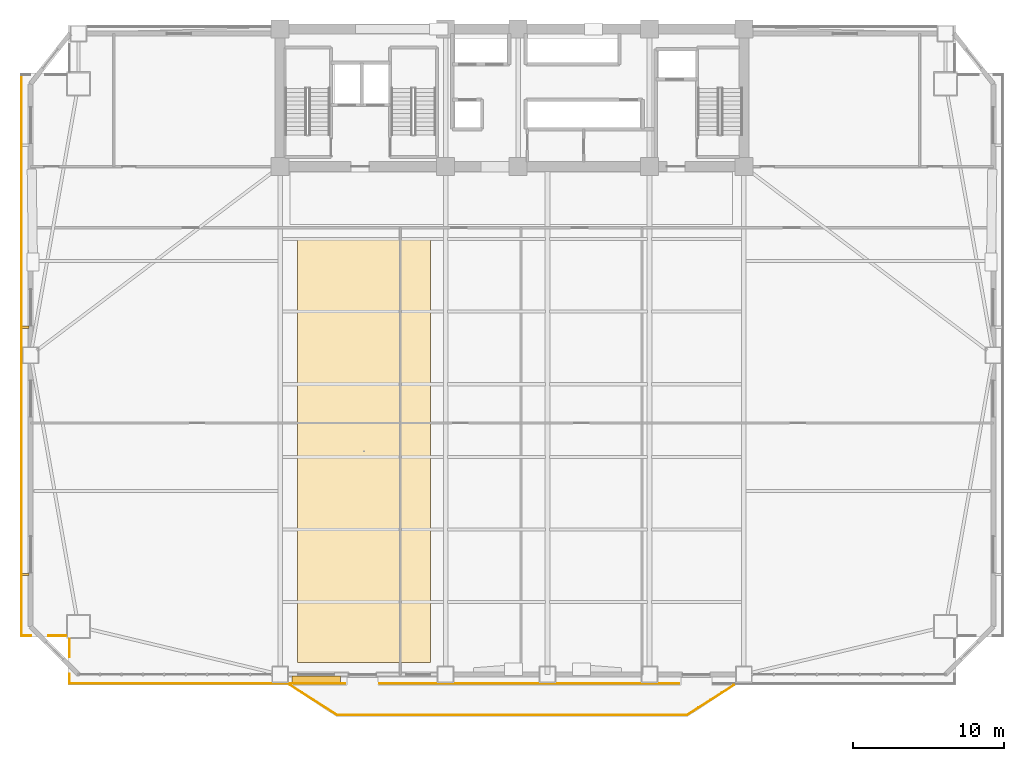
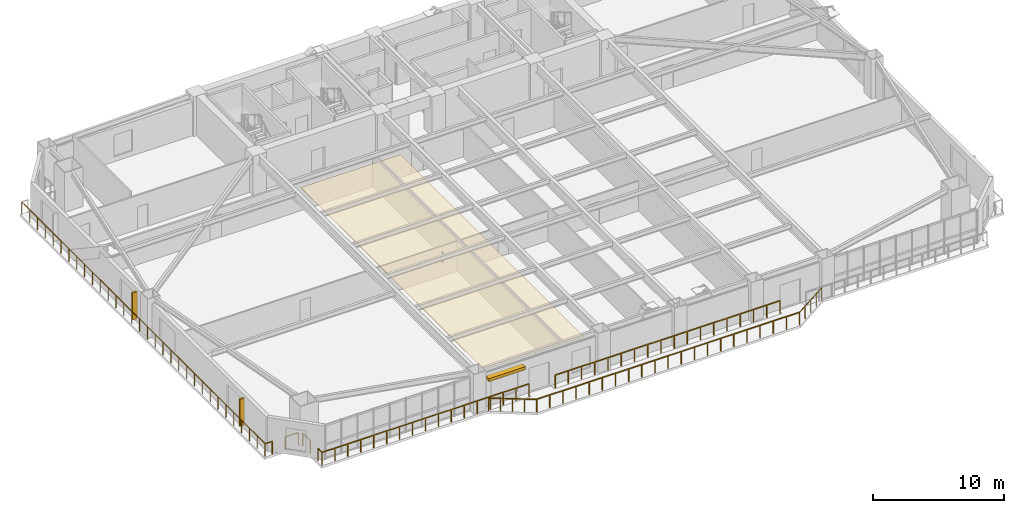
# One storey, part 13 of 17: 10 railings, 3 shading devices, 1 covering.
"""IFC4 building model written with IfcOpenShell, lengths in metres."""

from ifc_helpers import new_model, si_unit, direction, frame, origin, origin_2d, place, context, subcontext, project, spatial, polyline, rectangle, outline, extrude, source, transform, mapped, material, layer, layer_set, type_object, element, save


model = new_model("IFC4")

# Units and contexts
model_context = context("Model", 3, precision=1e-05, world=origin(), true_north=direction((0.0, 1.0)))
body_context = subcontext(model_context, "Body", "Model", "MODEL_VIEW")
ifc_project = project(units=[si_unit("LENGTHUNIT", "METRE"), si_unit("AREAUNIT", "SQUARE_METRE"), si_unit("VOLUMEUNIT", "CUBIC_METRE"), si_unit("PLANEANGLEUNIT", "RADIAN"), si_unit("MASSUNIT", "GRAM", prefix="KILO")], contexts=[model_context])

# Site, building, storey
site_placement = place(None, origin())
site = spatial("IfcSite", under=ifc_project, at=site_placement, CompositionType="ELEMENT")
building_placement = place(site_placement, origin())
building = spatial("IfcBuilding", under=site, at=building_placement, Name="Giltprow Tower", CompositionType="ELEMENT")
storey_placement = place(building_placement, frame((0.0, 0.0, 41.0)))
storey = spatial("IfcBuildingStorey", under=building, at=storey_placement, Name="L10", CompositionType="ELEMENT", Elevation=41.0)

# Covering
ifc_material_1 = material(Name="Acoustic mineral fibre", Category="gypsum")
ifc_layer = layer(ifc_material_1, 0.030029296875, Name="Acoustic mineral fibre")
ifc_layer_set = layer_set([ifc_layer], Name="Acoustic mineral fibre")
covering_type = type_object("IfcCoveringType", Name="COV-CLG-ACOUSTIC", PredefinedType="CEILING", material=ifc_layer_set)
covering_placement = place(storey_placement, frame((0.0, 0.0, 2.719970703125)))
element("IfcCovering", 1, at=covering_placement, inside=storey, type_object=covering_type, Name="L10 Office Acoustic Ceiling", PredefinedType="CEILING", context=body_context, shape_type="SweptSolid", body=[
    extrude(outline(polyline([(21.0, 4.626953125), (29.800048828125, 4.626953125), (29.800048828125, 32.60009765625), (21.0, 32.60009765625), (21.0, 4.626953125)])), origin(), (0.0, 0.0, 1.0), 0.030029296875),
])

# Railings
ifc_material_2 = material(Name="Anodized bronze", Category="metal")
railing_type = type_object("IfcRailingType", Name="RAIL-BALC-GUARD-1200", PredefinedType="BALUSTRADE", material=ifc_material_2)
railing_1_placement = place(storey_placement, frame((20.52001953125, 3.126953125, 0.0)))
element("IfcRailing", 2, at=railing_1_placement, inside=storey, type_object=railing_type, Name="L10 Waterfront Balcony Balustrade Seg 1", PredefinedType="BALUSTRADE", context=body_context, shape_type="SweptSolid", body=[
    extrude(rectangle(XDim=0.048095703125, YDim=0.048095703125, at=origin_2d()), frame((0.0, 0.0, 1.17578125), z_axis=(0.84277487735, -0.538266203757, 0.0), x_axis=(0.538266203757, 0.84277487735, 0.0)), (0.0, 0.0, 1.0), 3.678466796875),
    extrude(rectangle(XDim=0.0419921875, YDim=0.0419921875, at=origin_2d()), origin(), (0.0, 0.0, 1.0), 1.15185546875),
    extrude(rectangle(XDim=0.0419921875, YDim=0.0419921875, at=origin_2d()), frame((0.77490234375, -0.4951171875, 0.0)), (0.0, 0.0, 1.0), 1.15185546875),
    extrude(rectangle(XDim=0.0419921875, YDim=0.0419921875, at=origin_2d()), frame((1.550048828125, -0.989990234375, 0.0)), (0.0, 0.0, 1.0), 1.15185546875),
    extrude(rectangle(XDim=0.0419921875, YDim=0.0419921875, at=origin_2d()), frame((2.3251953125, -1.48486328125, 0.0)), (0.0, 0.0, 1.0), 1.15185546875),
    extrude(rectangle(XDim=0.0419921875, YDim=0.0419921875, at=origin_2d()), frame((3.10009765625, -1.97998046875, 0.0)), (0.0, 0.0, 1.0), 1.15185546875),
])
railing_2_placement = place(storey_placement, frame((23.6201171875, 1.14697265625, 0.0)))
element("IfcRailing", 3, at=railing_2_placement, inside=storey, type_object=railing_type, Name="L10 Waterfront Balcony Balustrade Seg 2", PredefinedType="BALUSTRADE", context=body_context, shape_type="SweptSolid", body=[
    extrude(rectangle(XDim=0.048095703125, YDim=0.048095703125, at=origin_2d()), frame((0.0, 0.0, 1.17578125), z_axis=(1.0, 0.0, 0.0), x_axis=(0.0, 1.0, 0.0)), (0.0, 0.0, 1.0), 23.159912109375),
    extrude(rectangle(XDim=0.0419921875, YDim=0.0419921875, at=origin_2d()), origin(), (0.0, 0.0, 1.0), 1.15185546875),
    extrude(rectangle(XDim=0.0419921875, YDim=0.0419921875, at=origin_2d()), frame((1.157958984375, 0.0, 0.0)), (0.0, 0.0, 1.0), 1.15185546875),
    extrude(rectangle(XDim=0.0419921875, YDim=0.0419921875, at=origin_2d()), frame((2.31591796875, 0.0, 0.0)), (0.0, 0.0, 1.0), 1.15185546875),
    extrude(rectangle(XDim=0.0419921875, YDim=0.0419921875, at=origin_2d()), frame((3.473876953125, 0.0, 0.0)), (0.0, 0.0, 1.0), 1.15185546875),
    extrude(rectangle(XDim=0.0419921875, YDim=0.0419921875, at=origin_2d()), frame((4.632080078125, 0.0, 0.0)), (0.0, 0.0, 1.0), 1.15185546875),
    extrude(rectangle(XDim=0.0419921875, YDim=0.0419921875, at=origin_2d()), frame((5.7900390625, 0.0, 0.0)), (0.0, 0.0, 1.0), 1.15185546875),
    extrude(rectangle(XDim=0.0419921875, YDim=0.0419921875, at=origin_2d()), frame((6.947998046875, 0.0, 0.0)), (0.0, 0.0, 1.0), 1.15185546875),
    extrude(rectangle(XDim=0.0419921875, YDim=0.0419921875, at=origin_2d()), frame((8.10595703125, 0.0, 0.0)), (0.0, 0.0, 1.0), 1.15185546875),
    extrude(rectangle(XDim=0.0419921875, YDim=0.0419921875, at=origin_2d()), frame((9.263916015625, 0.0, 0.0)), (0.0, 0.0, 1.0), 1.15185546875),
    extrude(rectangle(XDim=0.0419921875, YDim=0.0419921875, at=origin_2d()), frame((10.421875, 0.0, 0.0)), (0.0, 0.0, 1.0), 1.15185546875),
    extrude(rectangle(XDim=0.0419921875, YDim=0.0419921875, at=origin_2d()), frame((11.580078125, 0.0, 0.0)), (0.0, 0.0, 1.0), 1.15185546875),
    extrude(rectangle(XDim=0.0419921875, YDim=0.0419921875, at=origin_2d()), frame((12.738037109375, 0.0, 0.0)), (0.0, 0.0, 1.0), 1.15185546875),
    extrude(rectangle(XDim=0.0419921875, YDim=0.0419921875, at=origin_2d()), frame((13.89599609375, 0.0, 0.0)), (0.0, 0.0, 1.0), 1.15185546875),
    extrude(rectangle(XDim=0.0419921875, YDim=0.0419921875, at=origin_2d()), frame((15.053955078125, 0.0, 0.0)), (0.0, 0.0, 1.0), 1.15185546875),
    extrude(rectangle(XDim=0.0419921875, YDim=0.0419921875, at=origin_2d()), frame((16.2119140625, 0.0, 0.0)), (0.0, 0.0, 1.0), 1.15185546875),
    extrude(rectangle(XDim=0.0419921875, YDim=0.0419921875, at=origin_2d()), frame((17.369873046875, 0.0, 0.0)), (0.0, 0.0, 1.0), 1.15185546875),
    extrude(rectangle(XDim=0.0419921875, YDim=0.0419921875, at=origin_2d()), frame((18.52783203125, 0.0, 0.0)), (0.0, 0.0, 1.0), 1.15185546875),
    extrude(rectangle(XDim=0.0419921875, YDim=0.0419921875, at=origin_2d()), frame((19.68603515625, 0.0, 0.0)), (0.0, 0.0, 1.0), 1.15185546875),
    extrude(rectangle(XDim=0.0419921875, YDim=0.0419921875, at=origin_2d()), frame((20.843994140625, 0.0, 0.0)), (0.0, 0.0, 1.0), 1.15185546875),
    extrude(rectangle(XDim=0.0419921875, YDim=0.0419921875, at=origin_2d()), frame((22.001953125, 0.0, 0.0)), (0.0, 0.0, 1.0), 1.15185546875),
    extrude(rectangle(XDim=0.0419921875, YDim=0.0419921875, at=origin_2d()), frame((23.159912109375, 0.0, 0.0)), (0.0, 0.0, 1.0), 1.15185546875),
])
railing_3_placement = place(storey_placement, frame((46.780029296875, 1.14697265625, 0.0)))
element("IfcRailing", 4, at=railing_3_placement, inside=storey, type_object=railing_type, Name="L10 Waterfront Balcony Balustrade Seg 3", PredefinedType="BALUSTRADE", context=body_context, shape_type="SweptSolid", body=[
    extrude(rectangle(XDim=0.048095703125, YDim=0.048095703125, at=origin_2d()), frame((0.0, 0.0, 1.17578125), z_axis=(0.842755646126, 0.538296313309, 0.0), x_axis=(-0.538296313309, 0.842755646126, 0.0)), (0.0, 0.0, 1.0), 3.67822265625),
    extrude(rectangle(XDim=0.0419921875, YDim=0.0419921875, at=origin_2d()), origin(), (0.0, 0.0, 1.0), 1.15185546875),
    extrude(rectangle(XDim=0.0419921875, YDim=0.0419921875, at=origin_2d()), frame((0.77490234375, 0.4951171875, 0.0)), (0.0, 0.0, 1.0), 1.15185546875),
    extrude(rectangle(XDim=0.0419921875, YDim=0.0419921875, at=origin_2d()), frame((1.5498046875, 0.989990234375, 0.0)), (0.0, 0.0, 1.0), 1.15185546875),
    extrude(rectangle(XDim=0.0419921875, YDim=0.0419921875, at=origin_2d()), frame((2.324951171875, 1.48486328125, 0.0)), (0.0, 0.0, 1.0), 1.15185546875),
    extrude(rectangle(XDim=0.0419921875, YDim=0.0419921875, at=origin_2d()), frame((3.099853515625, 1.97998046875, 0.0)), (0.0, 0.0, 1.0), 1.15185546875),
])
railing_4_placement = place(storey_placement, frame((5.908935546875, 3.22705078125, 0.0)))
element("IfcRailing", 5, at=railing_4_placement, inside=storey, type_object=railing_type, Name="L10 Corner Apron Edge Balustrade 1", PredefinedType="BALUSTRADE", context=body_context, shape_type="SweptSolid", body=[
    extrude(rectangle(XDim=0.048095703125, YDim=0.048095703125, at=origin_2d()), frame((0.0, 0.0, 1.17578125), z_axis=(0.0, 1.0, 0.0), x_axis=(-1.0, 0.0, 0.0)), (0.0, 0.0, 1.0), 0.619873046875),
    extrude(rectangle(XDim=0.0419921875, YDim=0.0419921875, at=origin_2d()), origin(), (0.0, 0.0, 1.0), 1.15185546875),
    extrude(rectangle(XDim=0.0419921875, YDim=0.0419921875, at=origin_2d()), frame((0.0, 0.619873046875, 0.0)), (0.0, 0.0, 1.0), 1.15185546875),
])
railing_5_placement = place(storey_placement, frame((5.908935546875, 5.007080078125, 0.0)))
element("IfcRailing", 6, at=railing_5_placement, inside=storey, type_object=railing_type, Name="L10 Corner Apron Edge Balustrade 2", PredefinedType="BALUSTRADE", context=body_context, shape_type="SweptSolid", body=[
    extrude(rectangle(XDim=0.048095703125, YDim=0.048095703125, at=origin_2d()), frame((0.0, 0.0, 1.17578125), z_axis=(0.0, 1.0, 0.0), x_axis=(-1.0, 0.0, 0.0)), (0.0, 0.0, 1.0), 1.158935546875),
    extrude(rectangle(XDim=0.0419921875, YDim=0.0419921875, at=origin_2d()), origin(), (0.0, 0.0, 1.0), 1.15185546875),
    extrude(rectangle(XDim=0.0419921875, YDim=0.0419921875, at=origin_2d()), frame((0.0, 1.158935546875, 0.0)), (0.0, 0.0, 1.0), 1.15185546875),
])
railing_6_placement = place(storey_placement, frame((5.674072265625, 6.39990234375, 0.0)))
element("IfcRailing", 7, at=railing_6_placement, inside=storey, type_object=railing_type, Name="L10 Corner Apron Edge Balustrade 3", PredefinedType="BALUSTRADE", context=body_context, shape_type="SweptSolid", body=[
    extrude(rectangle(XDim=0.048095703125, YDim=0.048095703125, at=origin_2d()), frame((0.0, 0.0, 1.17578125), z_axis=(-1.0, 0.0, 0.0), x_axis=(0.0, -1.0, 0.0)), (0.0, 0.0, 1.0), 1.157958984375),
    extrude(rectangle(XDim=0.0419921875, YDim=0.0419921875, at=origin_2d()), origin(), (0.0, 0.0, 1.0), 1.15185546875),
    extrude(rectangle(XDim=0.0419921875, YDim=0.0419921875, at=origin_2d()), frame((-1.157958984375, 0.0, 0.0)), (0.0, 0.0, 1.0), 1.15185546875),
])
railing_7_placement = place(storey_placement, frame((3.35595703125, 6.39990234375, 0.0)))
element("IfcRailing", 8, at=railing_7_placement, inside=storey, type_object=railing_type, Name="L10 Corner Apron Edge Balustrade 4", PredefinedType="BALUSTRADE", context=body_context, shape_type="SweptSolid", body=[
    extrude(rectangle(XDim=0.048095703125, YDim=0.048095703125, at=origin_2d()), frame((0.0, 0.0, 1.17578125), z_axis=(-1.0, 0.0, 0.0), x_axis=(0.0, -1.0, 0.0)), (0.0, 0.0, 1.0), 0.620849609375),
    extrude(rectangle(XDim=0.0419921875, YDim=0.0419921875, at=origin_2d()), origin(), (0.0, 0.0, 1.0), 1.15185546875),
    extrude(rectangle(XDim=0.0419921875, YDim=0.0419921875, at=origin_2d()), frame((-0.620849609375, 0.0, 0.0)), (0.0, 0.0, 1.0), 1.15185546875),
])
railing_8_placement = place(storey_placement, frame((2.735107421875, 6.39990234375, 0.0)))
element("IfcRailing", 9, at=railing_8_placement, inside=storey, type_object=railing_type, Name="L10 Corner Apron Edge Balustrade 5", PredefinedType="BALUSTRADE", context=body_context, shape_type="SweptSolid", body=[
    extrude(rectangle(XDim=0.048095703125, YDim=0.048095703125, at=origin_2d()), frame((0.0, 0.0, 1.17578125), z_axis=(0.0, 1.0, 0.0), x_axis=(-1.0, 0.0, 0.0)), (0.0, 0.0, 1.0), 37.1259765625),
    extrude(rectangle(XDim=0.0419921875, YDim=0.0419921875, at=origin_2d()), origin(), (0.0, 0.0, 1.0), 1.15185546875),
    extrude(rectangle(XDim=0.0419921875, YDim=0.0419921875, at=origin_2d()), frame((0.0, 1.197509765625, 0.0)), (0.0, 0.0, 1.0), 1.15185546875),
    extrude(rectangle(XDim=0.0419921875, YDim=0.0419921875, at=origin_2d()), frame((0.0, 2.395263671875, 0.0)), (0.0, 0.0, 1.0), 1.15185546875),
    extrude(rectangle(XDim=0.0419921875, YDim=0.0419921875, at=origin_2d()), frame((0.0, 3.5927734375, 0.0)), (0.0, 0.0, 1.0), 1.15185546875),
    extrude(rectangle(XDim=0.0419921875, YDim=0.0419921875, at=origin_2d()), frame((0.0, 4.79052734375, 0.0)), (0.0, 0.0, 1.0), 1.15185546875),
    extrude(rectangle(XDim=0.0419921875, YDim=0.0419921875, at=origin_2d()), frame((0.0, 5.988037109375, 0.0)), (0.0, 0.0, 1.0), 1.15185546875),
    extrude(rectangle(XDim=0.0419921875, YDim=0.0419921875, at=origin_2d()), frame((0.0, 7.185791015625, 0.0)), (0.0, 0.0, 1.0), 1.15185546875),
    extrude(rectangle(XDim=0.0419921875, YDim=0.0419921875, at=origin_2d()), frame((0.0, 8.38330078125, 0.0)), (0.0, 0.0, 1.0), 1.15185546875),
    extrude(rectangle(XDim=0.0419921875, YDim=0.0419921875, at=origin_2d()), frame((0.0, 9.580810546875, 0.0)), (0.0, 0.0, 1.0), 1.15185546875),
    extrude(rectangle(XDim=0.0419921875, YDim=0.0419921875, at=origin_2d()), frame((0.0, 10.778564453125, 0.0)), (0.0, 0.0, 1.0), 1.15185546875),
    extrude(rectangle(XDim=0.0419921875, YDim=0.0419921875, at=origin_2d()), frame((0.0, 11.97607421875, 0.0)), (0.0, 0.0, 1.0), 1.15185546875),
    extrude(rectangle(XDim=0.0419921875, YDim=0.0419921875, at=origin_2d()), frame((0.0, 13.173828125, 0.0)), (0.0, 0.0, 1.0), 1.15185546875),
    extrude(rectangle(XDim=0.0419921875, YDim=0.0419921875, at=origin_2d()), frame((0.0, 14.371337890625, 0.0)), (0.0, 0.0, 1.0), 1.15185546875),
    extrude(rectangle(XDim=0.0419921875, YDim=0.0419921875, at=origin_2d()), frame((0.0, 15.56884765625, 0.0)), (0.0, 0.0, 1.0), 1.15185546875),
    extrude(rectangle(XDim=0.0419921875, YDim=0.0419921875, at=origin_2d()), frame((0.0, 16.7666015625, 0.0)), (0.0, 0.0, 1.0), 1.15185546875),
    extrude(rectangle(XDim=0.0419921875, YDim=0.0419921875, at=origin_2d()), frame((0.0, 17.964111328125, 0.0)), (0.0, 0.0, 1.0), 1.15185546875),
    extrude(rectangle(XDim=0.0419921875, YDim=0.0419921875, at=origin_2d()), frame((0.0, 19.161865234375, 0.0)), (0.0, 0.0, 1.0), 1.15185546875),
    extrude(rectangle(XDim=0.0419921875, YDim=0.0419921875, at=origin_2d()), frame((0.0, 20.359375, 0.0)), (0.0, 0.0, 1.0), 1.15185546875),
    extrude(rectangle(XDim=0.0419921875, YDim=0.0419921875, at=origin_2d()), frame((0.0, 21.55712890625, 0.0)), (0.0, 0.0, 1.0), 1.15185546875),
    extrude(rectangle(XDim=0.0419921875, YDim=0.0419921875, at=origin_2d()), frame((0.0, 22.754638671875, 0.0)), (0.0, 0.0, 1.0), 1.15185546875),
    extrude(rectangle(XDim=0.0419921875, YDim=0.0419921875, at=origin_2d()), frame((0.0, 23.9521484375, 0.0)), (0.0, 0.0, 1.0), 1.15185546875),
    extrude(rectangle(XDim=0.0419921875, YDim=0.0419921875, at=origin_2d()), frame((0.0, 25.14990234375, 0.0)), (0.0, 0.0, 1.0), 1.15185546875),
    extrude(rectangle(XDim=0.0419921875, YDim=0.0419921875, at=origin_2d()), frame((0.0, 26.347412109375, 0.0)), (0.0, 0.0, 1.0), 1.15185546875),
    extrude(rectangle(XDim=0.0419921875, YDim=0.0419921875, at=origin_2d()), frame((0.0, 27.545166015625, 0.0)), (0.0, 0.0, 1.0), 1.15185546875),
    extrude(rectangle(XDim=0.0419921875, YDim=0.0419921875, at=origin_2d()), frame((0.0, 28.74267578125, 0.0)), (0.0, 0.0, 1.0), 1.15185546875),
    extrude(rectangle(XDim=0.0419921875, YDim=0.0419921875, at=origin_2d()), frame((0.0, 29.940185546875, 0.0)), (0.0, 0.0, 1.0), 1.15185546875),
    extrude(rectangle(XDim=0.0419921875, YDim=0.0419921875, at=origin_2d()), frame((0.0, 31.137939453125, 0.0)), (0.0, 0.0, 1.0), 1.15185546875),
    extrude(rectangle(XDim=0.0419921875, YDim=0.0419921875, at=origin_2d()), frame((0.0, 32.33544921875, 0.0)), (0.0, 0.0, 1.0), 1.15185546875),
    extrude(rectangle(XDim=0.0419921875, YDim=0.0419921875, at=origin_2d()), frame((0.0, 33.533203125, 0.0)), (0.0, 0.0, 1.0), 1.15185546875),
    extrude(rectangle(XDim=0.0419921875, YDim=0.0419921875, at=origin_2d()), frame((0.0, 34.730712890625, 0.0)), (0.0, 0.0, 1.0), 1.15185546875),
    extrude(rectangle(XDim=0.0419921875, YDim=0.0419921875, at=origin_2d()), frame((0.0, 35.928466796875, 0.0)), (0.0, 0.0, 1.0), 1.15185546875),
    extrude(rectangle(XDim=0.0419921875, YDim=0.0419921875, at=origin_2d()), frame((0.0, 37.1259765625, 0.0)), (0.0, 0.0, 1.0), 1.15185546875),
])
railing_9_placement = place(storey_placement, frame((46.25, 3.22705078125, 0.0)))
element("IfcRailing", 10, at=railing_9_placement, inside=storey, type_object=railing_type, Name="L10 Corner Apron Edge Balustrade 20", PredefinedType="BALUSTRADE", context=body_context, shape_type="SweptSolid", body=[
    extrude(rectangle(XDim=0.048095703125, YDim=0.048095703125, at=origin_2d()), frame((0.0, 0.0, 1.17578125), z_axis=(-1.0, 0.0, 0.0), x_axis=(0.0, -1.0, 0.0)), (0.0, 0.0, 1.0), 19.800048828125),
    extrude(rectangle(XDim=0.0419921875, YDim=0.0419921875, at=origin_2d()), origin(), (0.0, 0.0, 1.0), 1.15185546875),
    extrude(rectangle(XDim=0.0419921875, YDim=0.0419921875, at=origin_2d()), frame((-1.164794921875, 0.0, 0.0)), (0.0, 0.0, 1.0), 1.15185546875),
    extrude(rectangle(XDim=0.0419921875, YDim=0.0419921875, at=origin_2d()), frame((-2.329345703125, 0.0, 0.0)), (0.0, 0.0, 1.0), 1.15185546875),
    extrude(rectangle(XDim=0.0419921875, YDim=0.0419921875, at=origin_2d()), frame((-3.494140625, 0.0, 0.0)), (0.0, 0.0, 1.0), 1.15185546875),
    extrude(rectangle(XDim=0.0419921875, YDim=0.0419921875, at=origin_2d()), frame((-4.658935546875, 0.0, 0.0)), (0.0, 0.0, 1.0), 1.15185546875),
    extrude(rectangle(XDim=0.0419921875, YDim=0.0419921875, at=origin_2d()), frame((-5.823486328125, 0.0, 0.0)), (0.0, 0.0, 1.0), 1.15185546875),
    extrude(rectangle(XDim=0.0419921875, YDim=0.0419921875, at=origin_2d()), frame((-6.98828125, 0.0, 0.0)), (0.0, 0.0, 1.0), 1.15185546875),
    extrude(rectangle(XDim=0.0419921875, YDim=0.0419921875, at=origin_2d()), frame((-8.153076171875, 0.0, 0.0)), (0.0, 0.0, 1.0), 1.15185546875),
    extrude(rectangle(XDim=0.0419921875, YDim=0.0419921875, at=origin_2d()), frame((-9.317626953125, 0.0, 0.0)), (0.0, 0.0, 1.0), 1.15185546875),
    extrude(rectangle(XDim=0.0419921875, YDim=0.0419921875, at=origin_2d()), frame((-10.482421875, 0.0, 0.0)), (0.0, 0.0, 1.0), 1.15185546875),
    extrude(rectangle(XDim=0.0419921875, YDim=0.0419921875, at=origin_2d()), frame((-11.64697265625, 0.0, 0.0)), (0.0, 0.0, 1.0), 1.15185546875),
    extrude(rectangle(XDim=0.0419921875, YDim=0.0419921875, at=origin_2d()), frame((-12.811767578125, 0.0, 0.0)), (0.0, 0.0, 1.0), 1.15185546875),
    extrude(rectangle(XDim=0.0419921875, YDim=0.0419921875, at=origin_2d()), frame((-13.9765625, 0.0, 0.0)), (0.0, 0.0, 1.0), 1.15185546875),
    extrude(rectangle(XDim=0.0419921875, YDim=0.0419921875, at=origin_2d()), frame((-15.14111328125, 0.0, 0.0)), (0.0, 0.0, 1.0), 1.15185546875),
    extrude(rectangle(XDim=0.0419921875, YDim=0.0419921875, at=origin_2d()), frame((-16.305908203125, 0.0, 0.0)), (0.0, 0.0, 1.0), 1.15185546875),
    extrude(rectangle(XDim=0.0419921875, YDim=0.0419921875, at=origin_2d()), frame((-17.470703125, 0.0, 0.0)), (0.0, 0.0, 1.0), 1.15185546875),
    extrude(rectangle(XDim=0.0419921875, YDim=0.0419921875, at=origin_2d()), frame((-18.63525390625, 0.0, 0.0)), (0.0, 0.0, 1.0), 1.15185546875),
    extrude(rectangle(XDim=0.0419921875, YDim=0.0419921875, at=origin_2d()), frame((-19.800048828125, 0.0, 0.0)), (0.0, 0.0, 1.0), 1.15185546875),
])
railing_10_placement = place(storey_placement, frame((24.14990234375, 3.22705078125, 0.0)))
element("IfcRailing", 11, at=railing_10_placement, inside=storey, type_object=railing_type, Name="L10 Corner Apron Edge Balustrade 21", PredefinedType="BALUSTRADE", context=body_context, shape_type="SweptSolid", body=[
    extrude(rectangle(XDim=0.048095703125, YDim=0.048095703125, at=origin_2d()), frame((0.0, 0.0, 1.17578125), z_axis=(-1.0, 0.0, 0.0), x_axis=(0.0, -1.0, 0.0)), (0.0, 0.0, 1.0), 18.240966796875),
    extrude(rectangle(XDim=0.0419921875, YDim=0.0419921875, at=origin_2d()), origin(), (0.0, 0.0, 1.0), 1.15185546875),
    extrude(rectangle(XDim=0.0419921875, YDim=0.0419921875, at=origin_2d()), frame((-1.14013671875, 0.0, 0.0)), (0.0, 0.0, 1.0), 1.15185546875),
    extrude(rectangle(XDim=0.0419921875, YDim=0.0419921875, at=origin_2d()), frame((-2.280029296875, 0.0, 0.0)), (0.0, 0.0, 1.0), 1.15185546875),
    extrude(rectangle(XDim=0.0419921875, YDim=0.0419921875, at=origin_2d()), frame((-3.420166015625, 0.0, 0.0)), (0.0, 0.0, 1.0), 1.15185546875),
    extrude(rectangle(XDim=0.0419921875, YDim=0.0419921875, at=origin_2d()), frame((-4.560302734375, 0.0, 0.0)), (0.0, 0.0, 1.0), 1.15185546875),
    extrude(rectangle(XDim=0.0419921875, YDim=0.0419921875, at=origin_2d()), frame((-5.7001953125, 0.0, 0.0)), (0.0, 0.0, 1.0), 1.15185546875),
    extrude(rectangle(XDim=0.0419921875, YDim=0.0419921875, at=origin_2d()), frame((-6.84033203125, 0.0, 0.0)), (0.0, 0.0, 1.0), 1.15185546875),
    extrude(rectangle(XDim=0.0419921875, YDim=0.0419921875, at=origin_2d()), frame((-7.98046875, 0.0, 0.0)), (0.0, 0.0, 1.0), 1.15185546875),
    extrude(rectangle(XDim=0.0419921875, YDim=0.0419921875, at=origin_2d()), frame((-9.12060546875, 0.0, 0.0)), (0.0, 0.0, 1.0), 1.15185546875),
    extrude(rectangle(XDim=0.0419921875, YDim=0.0419921875, at=origin_2d()), frame((-10.260498046875, 0.0, 0.0)), (0.0, 0.0, 1.0), 1.15185546875),
    extrude(rectangle(XDim=0.0419921875, YDim=0.0419921875, at=origin_2d()), frame((-11.400634765625, 0.0, 0.0)), (0.0, 0.0, 1.0), 1.15185546875),
    extrude(rectangle(XDim=0.0419921875, YDim=0.0419921875, at=origin_2d()), frame((-12.540771484375, 0.0, 0.0)), (0.0, 0.0, 1.0), 1.15185546875),
    extrude(rectangle(XDim=0.0419921875, YDim=0.0419921875, at=origin_2d()), frame((-13.6806640625, 0.0, 0.0)), (0.0, 0.0, 1.0), 1.15185546875),
    extrude(rectangle(XDim=0.0419921875, YDim=0.0419921875, at=origin_2d()), frame((-14.82080078125, 0.0, 0.0)), (0.0, 0.0, 1.0), 1.15185546875),
    extrude(rectangle(XDim=0.0419921875, YDim=0.0419921875, at=origin_2d()), frame((-15.9609375, 0.0, 0.0)), (0.0, 0.0, 1.0), 1.15185546875),
    extrude(rectangle(XDim=0.0419921875, YDim=0.0419921875, at=origin_2d()), frame((-17.100830078125, 0.0, 0.0)), (0.0, 0.0, 1.0), 1.15185546875),
    extrude(rectangle(XDim=0.0419921875, YDim=0.0419921875, at=origin_2d()), frame((-18.240966796875, 0.0, 0.0)), (0.0, 0.0, 1.0), 1.15185546875),
])

# Shading devices
shading_device_type_1 = type_object("IfcShadingDeviceType", Name="SHD-FIN-420", PredefinedType="USERDEFINED", material=ifc_material_2)
shared_shape_1 = source(origin(), body_context, "Body", "SweptSolid", [
    extrude(rectangle(XDim=0.419921875, YDim=0.159912109375, at=origin_2d()), origin(), (0.0, 0.0, 1.0), 2.5),
])
for number, where, z_axis, x_axis, name in (
    (12, (3.014892578125, 10.447998046875, 0.35009765625), (0.0, 0.0, 1.0), (1.0, 0.0, 0.0), "L10 W Bronze Vertical Fin 1-1"),
    (13, (3.014892578125, 26.800048828125, 0.35009765625), (0.0, 0.0, 1.0), (1.0, 0.0, 0.0), "L10 W Bronze Vertical Fin 2-1"),
):
    element("IfcShadingDevice", number, at=place(storey_placement, frame(where, z_axis=z_axis, x_axis=x_axis)), inside=storey, type_object=shading_device_type_1, Name=name, ObjectType="FIN", PredefinedType="USERDEFINED", context=body_context, shape_type="MappedRepresentation", body=[
        mapped(shared_shape_1, transform((0.0, 0.0, 0.0), x_axis=(1.0, 0.0, 0.0), y_axis=(0.0, 1.0, 0.0), z_axis=(0.0, 0.0, 1.0), scale=1.0)),
    ])
shading_device_type_2 = type_object("IfcShadingDeviceType", Name="SHD-LOUVRE-320", PredefinedType="JALOUSIE", material=ifc_material_2)
shared_shape_2 = source(origin(), body_context, "Body", "SweptSolid", [
    extrude(rectangle(XDim=3.199951171875, YDim=0.449951171875, at=origin_2d()), origin(), (0.0, 0.0, 1.0), 0.280029296875),
])
shading_device_placement = place(storey_placement, frame((22.25, 3.507080078125, 2.56005859375), z_axis=(0.0, 0.0, 1.0), x_axis=(1.0, 0.0, 0.0)))
element("IfcShadingDevice", 14, at=shading_device_placement, inside=storey, type_object=shading_device_type_2, Name="L10 Bronze Sunshade Louvre S-2", PredefinedType="JALOUSIE", context=body_context, shape_type="MappedRepresentation", body=[
    mapped(shared_shape_2, transform((0.0, 0.0, 0.0), x_axis=(1.0, 0.0, 0.0), y_axis=(0.0, 1.0, 0.0), z_axis=(0.0, 0.0, 1.0), scale=1.0)),
])

save(model, "model.ifc")
